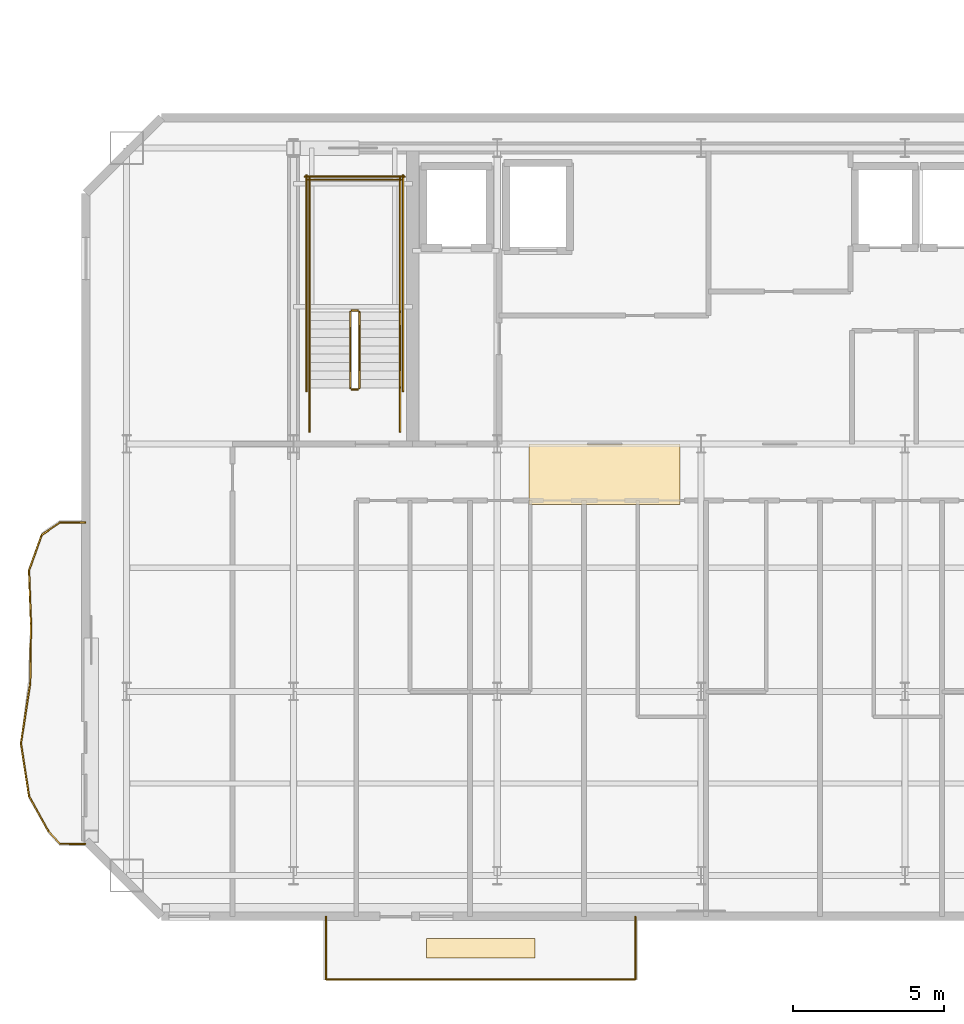
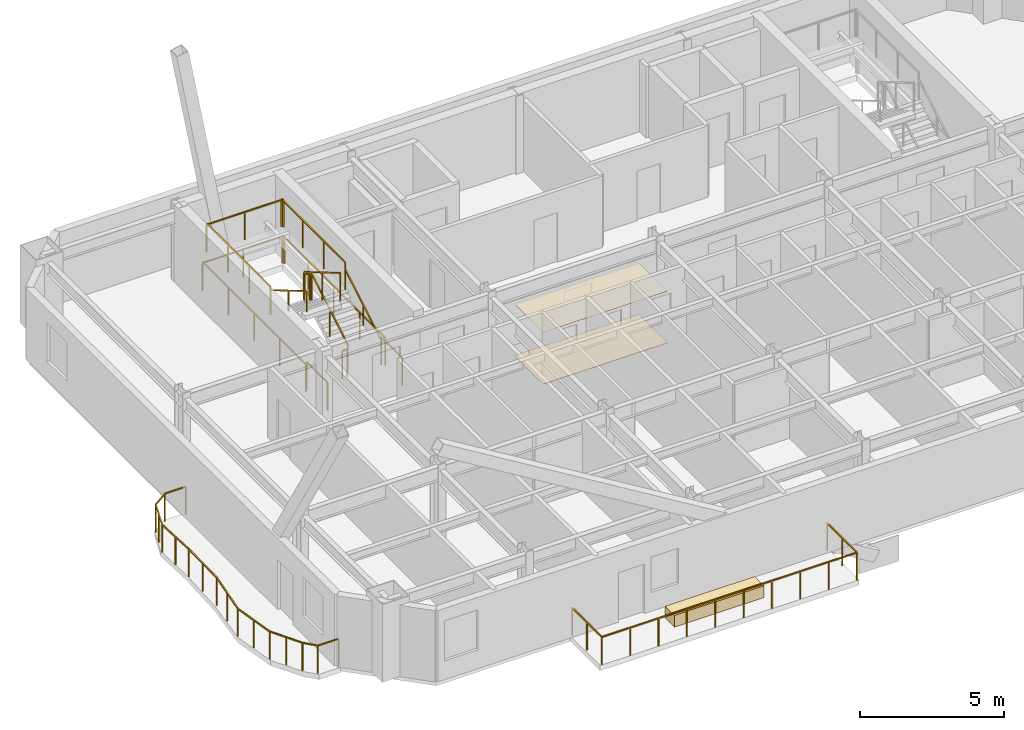
# One storey, part 11 of 14: 27 railings, 3 coverings.
"""IFC4 building model written with IfcOpenShell, lengths in metres."""

from ifc_helpers import new_model, si_unit, direction, frame, origin, origin_2d, place, context, subcontext, project, spatial, polyline, rectangle, outline, extrude, material, layer, layer_set, type_object, element, save


model = new_model("IFC4")

# Units and contexts
model_context = context("Model", 3, precision=1e-05, world=origin(), true_north=direction((0.0, 1.0)))
body_context = subcontext(model_context, "Body", "Model", "MODEL_VIEW")
ifc_project = project(units=[si_unit("LENGTHUNIT", "METRE"), si_unit("AREAUNIT", "SQUARE_METRE"), si_unit("VOLUMEUNIT", "CUBIC_METRE"), si_unit("PLANEANGLEUNIT", "RADIAN"), si_unit("MASSUNIT", "GRAM", prefix="KILO")], contexts=[model_context])

# Site, building, storey
site_placement = place(None, origin())
site = spatial("IfcSite", under=ifc_project, at=site_placement, CompositionType="ELEMENT")
building_placement = place(site_placement, origin())
building = spatial("IfcBuilding", under=site, at=building_placement, Name="Haevon Station Towers", CompositionType="ELEMENT")
storey_placement = place(building_placement, frame((0.0, 0.0, 208.800048828125)))
storey = spatial("IfcBuildingStorey", under=building, at=storey_placement, Name="L57", CompositionType="ELEMENT", Elevation=208.800048828125)

# Coverings
ifc_material_1 = material(Name="Gypsum acoustic ceiling tile", Category="concrete")
ifc_layer_1 = layer(ifc_material_1, 0.014892578125)
ifc_layer_set_1 = layer_set([ifc_layer_1], Name="Gypsum acoustic ceiling tile")
covering_type_1 = type_object("IfcCoveringType", Name="COV-CEIL15", PredefinedType="CEILING", material=ifc_layer_set_1)
covering_1_placement = place(storey_placement, frame((0.0, 0.0, 2.199951171875)))
element("IfcCovering", 1, at=covering_1_placement, inside=storey, type_object=covering_type_1, Name="L57 Acoustic Corridor Ceiling", PredefinedType="CEILING", context=body_context, shape_type="SweptSolid", body=[
    extrude(outline(polyline([(31.800048828125, 36.199951171875), (36.800048828125, 36.199951171875), (36.800048828125, 38.199951171875), (31.800048828125, 38.199951171875), (31.800048828125, 36.199951171875)])), origin(), (0.0, 0.0, 1.0), 0.014892578125),
])
ifc_material_2 = material(Name="Granite stone paving", Category="masonry")
ifc_layer_2 = layer(ifc_material_2, 0.02001953125)
ifc_layer_set_2 = layer_set([ifc_layer_2], Name="Granite stone paving")
covering_type_2 = type_object("IfcCoveringType", Name="COV-FLR20", PredefinedType="FLOORING", material=ifc_layer_set_2)
covering_2_placement = place(storey_placement, origin())
element("IfcCovering", 2, at=covering_2_placement, inside=storey, type_object=covering_type_2, Name="L57 Corridor Stone Flooring", PredefinedType="FLOORING", context=body_context, shape_type="SweptSolid", body=[
    extrude(outline(polyline([(31.800048828125, 36.199951171875), (36.800048828125, 36.199951171875), (36.800048828125, 38.199951171875), (31.800048828125, 38.199951171875), (31.800048828125, 36.199951171875)])), origin(), (0.0, 0.0, 1.0), 0.02001953125),
])

# Railings
ifc_material_3 = material(Name="Steel S355", Category="steel")
railing_type_1 = type_object("IfcRailingType", Name="GRD-EXT1200", PredefinedType="GUARDRAIL", material=ifc_material_3)
railing_1_placement = place(storey_placement, frame((17.1015625, 35.59716796875, 0.0)))
element("IfcRailing", 3, at=railing_1_placement, inside=storey, type_object=railing_type_1, Name="L57 Perimeter Guardrail 1", PredefinedType="GUARDRAIL", context=body_context, shape_type="SweptSolid", body=[
    extrude(rectangle(XDim=0.048095703125, YDim=0.048095703125, at=origin_2d()), frame((0.0, 0.0, 1.17578125), z_axis=(-0.999997283225, -0.002330995998, 0.0), x_axis=(0.002330995998, -0.999997283225, 0.0)), (0.0, 0.0, 1.0), 0.837890625),
    extrude(rectangle(XDim=0.0419921875, YDim=0.0419921875, at=origin_2d()), origin(), (0.0, 0.0, 1.0), 1.15185546875),
    extrude(rectangle(XDim=0.0419921875, YDim=0.0419921875, at=origin_2d()), frame((-0.837890625, -0.001953125, 0.0)), (0.0, 0.0, 1.0), 1.15185546875),
])
railing_2_placement = place(storey_placement, frame((16.263671875, 35.59521484375, 0.0)))
element("IfcRailing", 4, at=railing_2_placement, inside=storey, type_object=railing_type_1, Name="L57 Perimeter Guardrail 2", PredefinedType="GUARDRAIL", context=body_context, shape_type="SweptSolid", body=[
    extrude(rectangle(XDim=0.048095703125, YDim=0.048095703125, at=origin_2d()), frame((0.0, 0.0, 1.17578125), z_axis=(-0.826665387993, -0.562693821091, 0.0), x_axis=(0.562693821091, -0.826665387993, 0.0)), (0.0, 0.0, 1.0), 0.730712890625),
    extrude(rectangle(XDim=0.0419921875, YDim=0.0419921875, at=origin_2d()), origin(), (0.0, 0.0, 1.0), 1.15185546875),
    extrude(rectangle(XDim=0.0419921875, YDim=0.0419921875, at=origin_2d()), frame((-0.60400390625, -0.4111328125, 0.0)), (0.0, 0.0, 1.0), 1.15185546875),
])
railing_3_placement = place(storey_placement, frame((15.65966796875, 35.18408203125, 0.0)))
element("IfcRailing", 5, at=railing_3_placement, inside=storey, type_object=railing_type_1, Name="L57 Perimeter Guardrail 3", PredefinedType="GUARDRAIL", context=body_context, shape_type="SweptSolid", body=[
    extrude(rectangle(XDim=0.048095703125, YDim=0.048095703125, at=origin_2d()), frame((0.0, 0.0, 1.17578125), z_axis=(-0.337369310721, -0.941372374878, 0.0), x_axis=(0.941372374878, -0.337369310721, 0.0)), (0.0, 0.0, 1.0), 1.242431640625),
    extrude(rectangle(XDim=0.0419921875, YDim=0.0419921875, at=origin_2d()), origin(), (0.0, 0.0, 1.0), 1.15185546875),
    extrude(rectangle(XDim=0.0419921875, YDim=0.0419921875, at=origin_2d()), frame((-0.20947265625, -0.5849609375, 0.0)), (0.0, 0.0, 1.0), 1.15185546875),
    extrude(rectangle(XDim=0.0419921875, YDim=0.0419921875, at=origin_2d()), frame((-0.419189453125, -1.169677734375, 0.0)), (0.0, 0.0, 1.0), 1.15185546875),
])
railing_4_placement = place(storey_placement, frame((15.240478515625, 34.014404296875, 0.0)))
element("IfcRailing", 6, at=railing_4_placement, inside=storey, type_object=railing_type_1, Name="L57 Perimeter Guardrail 4", PredefinedType="GUARDRAIL", context=body_context, shape_type="SweptSolid", body=[
    extrude(rectangle(XDim=0.048095703125, YDim=0.048095703125, at=origin_2d()), frame((0.0, 0.0, 1.17578125), z_axis=(0.036800275781, -0.999322640443, 0.0), x_axis=(0.999322640443, 0.036800275781, 0.0)), (0.0, 0.0, 1.0), 1.75146484375),
    extrude(rectangle(XDim=0.0419921875, YDim=0.0419921875, at=origin_2d()), origin(), (0.0, 0.0, 1.0), 1.15185546875),
    extrude(rectangle(XDim=0.0419921875, YDim=0.0419921875, at=origin_2d()), frame((0.0322265625, -0.875, 0.0)), (0.0, 0.0, 1.0), 1.15185546875),
    extrude(rectangle(XDim=0.0419921875, YDim=0.0419921875, at=origin_2d()), frame((0.064453125, -1.750244140625, 0.0)), (0.0, 0.0, 1.0), 1.15185546875),
])
railing_5_placement = place(storey_placement, frame((15.304931640625, 32.26416015625, 0.0)))
element("IfcRailing", 7, at=railing_5_placement, inside=storey, type_object=railing_type_1, Name="L57 Perimeter Guardrail 5", PredefinedType="GUARDRAIL", context=body_context, shape_type="SweptSolid", body=[
    extrude(rectangle(XDim=0.048095703125, YDim=0.048095703125, at=origin_2d()), frame((0.0, 0.0, 1.17578125), z_axis=(-0.01276282884, -0.999918551783, 0.0), x_axis=(0.999918551783, -0.01276282884, 0.0)), (0.0, 0.0, 1.0), 1.989501953125),
    extrude(rectangle(XDim=0.0419921875, YDim=0.0419921875, at=origin_2d()), origin(), (0.0, 0.0, 1.0), 1.15185546875),
    extrude(rectangle(XDim=0.0419921875, YDim=0.0419921875, at=origin_2d()), frame((-0.0126953125, -0.99462890625, 0.0)), (0.0, 0.0, 1.0), 1.15185546875),
    extrude(rectangle(XDim=0.0419921875, YDim=0.0419921875, at=origin_2d()), frame((-0.025390625, -1.9892578125, 0.0)), (0.0, 0.0, 1.0), 1.15185546875),
])
railing_6_placement = place(storey_placement, frame((15.279541015625, 30.27490234375, 0.0)))
element("IfcRailing", 8, at=railing_6_placement, inside=storey, type_object=railing_type_1, Name="L57 Perimeter Guardrail 6", PredefinedType="GUARDRAIL", context=body_context, shape_type="SweptSolid", body=[
    extrude(rectangle(XDim=0.048095703125, YDim=0.048095703125, at=origin_2d()), frame((0.0, 0.0, 1.17578125), z_axis=(-0.152075381091, -0.988368897966, 0.0), x_axis=(0.988368897966, -0.152075381091, 0.0)), (0.0, 0.0, 1.0), 2.016357421875),
    extrude(rectangle(XDim=0.0419921875, YDim=0.0419921875, at=origin_2d()), origin(), (0.0, 0.0, 1.0), 1.15185546875),
    extrude(rectangle(XDim=0.0419921875, YDim=0.0419921875, at=origin_2d()), frame((-0.1533203125, -0.99658203125, 0.0)), (0.0, 0.0, 1.0), 1.15185546875),
    extrude(rectangle(XDim=0.0419921875, YDim=0.0419921875, at=origin_2d()), frame((-0.306640625, -1.992919921875, 0.0)), (0.0, 0.0, 1.0), 1.15185546875),
])
railing_7_placement = place(storey_placement, frame((14.972900390625, 28.281982421875, 0.0)))
element("IfcRailing", 9, at=railing_7_placement, inside=storey, type_object=railing_type_1, Name="L57 Perimeter Guardrail 7", PredefinedType="GUARDRAIL", context=body_context, shape_type="SweptSolid", body=[
    extrude(rectangle(XDim=0.048095703125, YDim=0.048095703125, at=origin_2d()), frame((0.0, 0.0, 1.17578125), z_axis=(0.151454876704, -0.988464172503, 0.0), x_axis=(0.988464172503, 0.151454876704, 0.0)), (0.0, 0.0, 1.0), 1.7666015625),
    extrude(rectangle(XDim=0.0419921875, YDim=0.0419921875, at=origin_2d()), origin(), (0.0, 0.0, 1.0), 1.15185546875),
    extrude(rectangle(XDim=0.0419921875, YDim=0.0419921875, at=origin_2d()), frame((0.1337890625, -0.873046875, 0.0)), (0.0, 0.0, 1.0), 1.15185546875),
    extrude(rectangle(XDim=0.0419921875, YDim=0.0419921875, at=origin_2d()), frame((0.267578125, -1.746337890625, 0.0)), (0.0, 0.0, 1.0), 1.15185546875),
])
railing_8_placement = place(storey_placement, frame((15.240478515625, 26.53564453125, 0.0)))
element("IfcRailing", 10, at=railing_8_placement, inside=storey, type_object=railing_type_1, Name="L57 Perimeter Guardrail 8", PredefinedType="GUARDRAIL", context=body_context, shape_type="SweptSolid", body=[
    extrude(rectangle(XDim=0.048095703125, YDim=0.048095703125, at=origin_2d()), frame((0.0, 0.0, 1.17578125), z_axis=(0.483314021396, -0.875447061062, 0.0), x_axis=(0.875447061062, 0.483314021396, 0.0)), (0.0, 0.0, 1.0), 1.336181640625),
    extrude(rectangle(XDim=0.0419921875, YDim=0.0419921875, at=origin_2d()), origin(), (0.0, 0.0, 1.0), 1.15185546875),
    extrude(rectangle(XDim=0.0419921875, YDim=0.0419921875, at=origin_2d()), frame((0.32275390625, -0.5849609375, 0.0)), (0.0, 0.0, 1.0), 1.15185546875),
    extrude(rectangle(XDim=0.0419921875, YDim=0.0419921875, at=origin_2d()), frame((0.645751953125, -1.169677734375, 0.0)), (0.0, 0.0, 1.0), 1.15185546875),
])
railing_9_placement = place(storey_placement, frame((15.88623046875, 25.365966796875, 0.0)))
element("IfcRailing", 11, at=railing_9_placement, inside=storey, type_object=railing_type_1, Name="L57 Perimeter Guardrail 9", PredefinedType="GUARDRAIL", context=body_context, shape_type="SweptSolid", body=[
    extrude(rectangle(XDim=0.048095703125, YDim=0.048095703125, at=origin_2d()), frame((0.0, 0.0, 1.17578125), z_axis=(0.676279075559, -0.736645513093, 0.0), x_axis=(0.736645513093, 0.676279075559, 0.0)), (0.0, 0.0, 1.0), 0.55810546875),
    extrude(rectangle(XDim=0.0419921875, YDim=0.0419921875, at=origin_2d()), origin(), (0.0, 0.0, 1.0), 1.15185546875),
    extrude(rectangle(XDim=0.0419921875, YDim=0.0419921875, at=origin_2d()), frame((0.37744140625, -0.4111328125, 0.0)), (0.0, 0.0, 1.0), 1.15185546875),
])
railing_10_placement = place(storey_placement, frame((16.263671875, 24.954833984375, 0.0)))
element("IfcRailing", 12, at=railing_10_placement, inside=storey, type_object=railing_type_1, Name="L57 Perimeter Guardrail 10", PredefinedType="GUARDRAIL", context=body_context, shape_type="SweptSolid", body=[
    extrude(rectangle(XDim=0.048095703125, YDim=0.048095703125, at=origin_2d()), frame((0.0, 0.0, 1.17578125), z_axis=(0.999997283225, -0.002330995998, 0.0), x_axis=(0.002330995998, 0.999997283225, 0.0)), (0.0, 0.0, 1.0), 0.837890625),
    extrude(rectangle(XDim=0.0419921875, YDim=0.0419921875, at=origin_2d()), origin(), (0.0, 0.0, 1.0), 1.15185546875),
    extrude(rectangle(XDim=0.0419921875, YDim=0.0419921875, at=origin_2d()), frame((0.837890625, -0.001953125, 0.0)), (0.0, 0.0, 1.0), 1.15185546875),
])
railing_11_placement = place(storey_placement, frame((25.078369140625, 20.4658203125, 0.0)))
element("IfcRailing", 13, at=railing_11_placement, inside=storey, type_object=railing_type_1, Name="L57 Perimeter Guardrail 1", PredefinedType="GUARDRAIL", context=body_context, shape_type="SweptSolid", body=[
    extrude(rectangle(XDim=0.048095703125, YDim=0.048095703125, at=origin_2d()), frame((0.0, 0.0, 1.17578125), z_axis=(1.0, 0.0, 0.0), x_axis=(0.0, 1.0, 0.0)), (0.0, 0.0, 1.0), 10.2431640625),
    extrude(rectangle(XDim=0.0419921875, YDim=0.0419921875, at=origin_2d()), origin(), (0.0, 0.0, 1.0), 1.15185546875),
    extrude(rectangle(XDim=0.0419921875, YDim=0.0419921875, at=origin_2d()), frame((1.13818359375, 0.0, 0.0)), (0.0, 0.0, 1.0), 1.15185546875),
    extrude(rectangle(XDim=0.0419921875, YDim=0.0419921875, at=origin_2d()), frame((2.2763671875, 0.0, 0.0)), (0.0, 0.0, 1.0), 1.15185546875),
    extrude(rectangle(XDim=0.0419921875, YDim=0.0419921875, at=origin_2d()), frame((3.414306640625, 0.0, 0.0)), (0.0, 0.0, 1.0), 1.15185546875),
    extrude(rectangle(XDim=0.0419921875, YDim=0.0419921875, at=origin_2d()), frame((4.552490234375, 0.0, 0.0)), (0.0, 0.0, 1.0), 1.15185546875),
    extrude(rectangle(XDim=0.0419921875, YDim=0.0419921875, at=origin_2d()), frame((5.690673828125, 0.0, 0.0)), (0.0, 0.0, 1.0), 1.15185546875),
    extrude(rectangle(XDim=0.0419921875, YDim=0.0419921875, at=origin_2d()), frame((6.828857421875, 0.0, 0.0)), (0.0, 0.0, 1.0), 1.15185546875),
    extrude(rectangle(XDim=0.0419921875, YDim=0.0419921875, at=origin_2d()), frame((7.966796875, 0.0, 0.0)), (0.0, 0.0, 1.0), 1.15185546875),
    extrude(rectangle(XDim=0.0419921875, YDim=0.0419921875, at=origin_2d()), frame((9.10498046875, 0.0, 0.0)), (0.0, 0.0, 1.0), 1.15185546875),
    extrude(rectangle(XDim=0.0419921875, YDim=0.0419921875, at=origin_2d()), frame((10.2431640625, 0.0, 0.0)), (0.0, 0.0, 1.0), 1.15185546875),
])
railing_12_placement = place(storey_placement, frame((35.321533203125, 20.4658203125, 0.0)))
element("IfcRailing", 14, at=railing_12_placement, inside=storey, type_object=railing_type_1, Name="L57 Perimeter Guardrail 2", PredefinedType="GUARDRAIL", context=body_context, shape_type="SweptSolid", body=[
    extrude(rectangle(XDim=0.048095703125, YDim=0.048095703125, at=origin_2d()), frame((0.0, 0.0, 1.17578125), z_axis=(0.0, 1.0, 0.0), x_axis=(-1.0, 0.0, 0.0)), (0.0, 0.0, 1.0), 2.0634765625),
    extrude(rectangle(XDim=0.0419921875, YDim=0.0419921875, at=origin_2d()), origin(), (0.0, 0.0, 1.0), 1.15185546875),
    extrude(rectangle(XDim=0.0419921875, YDim=0.0419921875, at=origin_2d()), frame((0.0, 1.03173828125, 0.0)), (0.0, 0.0, 1.0), 1.15185546875),
    extrude(rectangle(XDim=0.0419921875, YDim=0.0419921875, at=origin_2d()), frame((0.0, 2.0634765625, 0.0)), (0.0, 0.0, 1.0), 1.15185546875),
])
railing_13_placement = place(storey_placement, frame((25.078369140625, 22.529296875, 0.0)))
element("IfcRailing", 15, at=railing_13_placement, inside=storey, type_object=railing_type_1, Name="L57 Perimeter Guardrail 3", PredefinedType="GUARDRAIL", context=body_context, shape_type="SweptSolid", body=[
    extrude(rectangle(XDim=0.048095703125, YDim=0.048095703125, at=origin_2d()), frame((0.0, 0.0, 1.17578125), z_axis=(0.0, -1.0, 0.0), x_axis=(1.0, 0.0, 0.0)), (0.0, 0.0, 1.0), 2.0634765625),
    extrude(rectangle(XDim=0.0419921875, YDim=0.0419921875, at=origin_2d()), origin(), (0.0, 0.0, 1.0), 1.15185546875),
    extrude(rectangle(XDim=0.0419921875, YDim=0.0419921875, at=origin_2d()), frame((0.0, -1.03173828125, 0.0)), (0.0, 0.0, 1.0), 1.15185546875),
    extrude(rectangle(XDim=0.0419921875, YDim=0.0419921875, at=origin_2d()), frame((0.0, -2.0634765625, 0.0)), (0.0, 0.0, 1.0), 1.15185546875),
])
railing_type_2 = type_object("IfcRailingType", Name="GRD-STR1200", PredefinedType="GUARDRAIL", material=ifc_material_3)
railing_14_placement = place(storey_placement, frame((26.179931640625, 40.050048828125, 0.1650390625)))
element("IfcRailing", 16, at=railing_14_placement, inside=storey, type_object=railing_type_2, Name="L57 ST1 Stair Guard 1", PredefinedType="GUARDRAIL", context=body_context, shape_type="SweptSolid", body=[
    extrude(rectangle(XDim=0.048095703125, YDim=0.048095703125, at=origin_2d()), frame((0.0, 0.0, 1.17578125), z_axis=(0.0, 0.861560626758, 0.507654692109), x_axis=(-1.0, 0.0, 0.0)), (0.0, 0.0, 1.0), 2.925048828125),
    extrude(rectangle(XDim=0.0419921875, YDim=0.0419921875, at=origin_2d()), origin(), (0.0, 0.0, 1.0), 1.15185546875),
    extrude(rectangle(XDim=0.0419921875, YDim=0.0419921875, at=origin_2d()), frame((0.0, 1.260009765625, 0.742431640625)), (0.0, 0.0, 1.0), 1.15185546875),
    extrude(rectangle(XDim=0.0419921875, YDim=0.0419921875, at=origin_2d()), frame((0.0, 2.52001953125, 1.48486328125)), (0.0, 0.0, 1.0), 1.15185546875),
])
railing_15_placement = place(storey_placement, frame((26.1298828125, 42.6201171875, 1.64990234375)))
element("IfcRailing", 17, at=railing_15_placement, inside=storey, type_object=railing_type_2, Name="L57 ST1 Stair Guard 2", PredefinedType="GUARDRAIL", context=body_context, shape_type="SweptSolid", body=[
    extrude(rectangle(XDim=0.048095703125, YDim=0.048095703125, at=origin_2d()), frame((0.0, 0.0, 1.17578125), z_axis=(-1.0, 0.0, 0.0), x_axis=(0.0, -1.0, 0.0)), (0.0, 0.0, 1.0), 0.199951171875),
    extrude(rectangle(XDim=0.0419921875, YDim=0.0419921875, at=origin_2d()), origin(), (0.0, 0.0, 1.0), 1.15185546875),
    extrude(rectangle(XDim=0.0419921875, YDim=0.0419921875, at=origin_2d()), frame((-0.199951171875, 0.0, 0.0)), (0.0, 0.0, 1.0), 1.15185546875),
])
for number, where, name in (
    (18, (27.530029296875, 42.570068359375, 1.64990234375), "L57 ST1 Stair Guard 3"),
    (19, (24.530029296875, 42.570068359375, 1.64990234375), "L57 ST1 Stair Guard 4"),
):
    element("IfcRailing", number, at=place(storey_placement, frame(where)), inside=storey, type_object=railing_type_2, Name=name, PredefinedType="GUARDRAIL", context=body_context, shape_type="SweptSolid", body=[
        extrude(rectangle(XDim=0.048095703125, YDim=0.048095703125, at=origin_2d()), frame((0.0, 0.0, 1.17578125), z_axis=(0.0, 1.0, 0.0), x_axis=(-1.0, 0.0, 0.0)), (0.0, 0.0, 1.0), 4.429931640625),
        extrude(rectangle(XDim=0.0419921875, YDim=0.0419921875, at=origin_2d()), origin(), (0.0, 0.0, 1.0), 1.15185546875),
        extrude(rectangle(XDim=0.0419921875, YDim=0.0419921875, at=origin_2d()), frame((0.0, 1.4765625, 0.0)), (0.0, 0.0, 1.0), 1.15185546875),
        extrude(rectangle(XDim=0.0419921875, YDim=0.0419921875, at=origin_2d()), frame((0.0, 2.953369140625, 0.0)), (0.0, 0.0, 1.0), 1.15185546875),
        extrude(rectangle(XDim=0.0419921875, YDim=0.0419921875, at=origin_2d()), frame((0.0, 4.429931640625, 0.0)), (0.0, 0.0, 1.0), 1.15185546875),
    ])
railing_16_placement = place(storey_placement, frame((27.580078125, 46.949951171875, 1.64990234375)))
element("IfcRailing", 20, at=railing_16_placement, inside=storey, type_object=railing_type_2, Name="L57 ST1 Stair Guard 5", PredefinedType="GUARDRAIL", context=body_context, shape_type="SweptSolid", body=[
    extrude(rectangle(XDim=0.048095703125, YDim=0.048095703125, at=origin_2d()), frame((0.0, 0.0, 1.17578125), z_axis=(-1.0, 0.0, 0.0), x_axis=(0.0, -1.0, 0.0)), (0.0, 0.0, 1.0), 3.10009765625),
    extrude(rectangle(XDim=0.0419921875, YDim=0.0419921875, at=origin_2d()), origin(), (0.0, 0.0, 1.0), 1.15185546875),
    extrude(rectangle(XDim=0.0419921875, YDim=0.0419921875, at=origin_2d()), frame((-1.550048828125, 0.0, 0.0)), (0.0, 0.0, 1.0), 1.15185546875),
    extrude(rectangle(XDim=0.0419921875, YDim=0.0419921875, at=origin_2d()), frame((-3.10009765625, 0.0, 0.0)), (0.0, 0.0, 1.0), 1.15185546875),
])
railing_17_placement = place(storey_placement, frame((25.8798828125, 42.570068359375, 1.81494140625)))
element("IfcRailing", 21, at=railing_17_placement, inside=storey, type_object=railing_type_2, Name="L57 ST1 Stair Guard 6", PredefinedType="GUARDRAIL", context=body_context, shape_type="SweptSolid", body=[
    extrude(rectangle(XDim=0.048095703125, YDim=0.048095703125, at=origin_2d()), frame((0.0, 0.0, 1.17578125), z_axis=(0.0, -0.86152411907, 0.507716645641), x_axis=(1.0, 0.0, 0.0)), (0.0, 0.0, 1.0), 2.925048828125),
    extrude(rectangle(XDim=0.0419921875, YDim=0.0419921875, at=origin_2d()), origin(), (0.0, 0.0, 1.0), 1.15185546875),
    extrude(rectangle(XDim=0.0419921875, YDim=0.0419921875, at=origin_2d()), frame((0.0, -1.260009765625, 0.74267578125)), (0.0, 0.0, 1.0), 1.15185546875),
    extrude(rectangle(XDim=0.0419921875, YDim=0.0419921875, at=origin_2d()), frame((0.0, -2.52001953125, 1.485107421875)), (0.0, 0.0, 1.0), 1.15185546875),
])
railing_18_placement = place(storey_placement, frame((26.1298828125, 40.0, 0.0)))
element("IfcRailing", 22, at=railing_18_placement, inside=storey, type_object=railing_type_2, Name="L57 ST1 Stair Guard 7", PredefinedType="GUARDRAIL", context=body_context, shape_type="SweptSolid", body=[
    extrude(rectangle(XDim=0.048095703125, YDim=0.048095703125, at=origin_2d()), frame((0.0, 0.0, 1.17578125), z_axis=(-1.0, 0.0, 0.0), x_axis=(0.0, -1.0, 0.0)), (0.0, 0.0, 1.0), 0.199951171875),
    extrude(rectangle(XDim=0.0419921875, YDim=0.0419921875, at=origin_2d()), origin(), (0.0, 0.0, 1.0), 1.15185546875),
    extrude(rectangle(XDim=0.0419921875, YDim=0.0419921875, at=origin_2d()), frame((-0.199951171875, 0.0, 0.0)), (0.0, 0.0, 1.0), 1.15185546875),
])
for number, where, name in (
    (23, (27.530029296875, 38.60009765625, 0.0), "L57 ST1 Stair Guard 8"),
    (24, (24.530029296875, 38.60009765625, 0.0), "L57 ST1 Stair Guard 9"),
):
    element("IfcRailing", number, at=place(storey_placement, frame(where)), inside=storey, type_object=railing_type_2, Name=name, PredefinedType="GUARDRAIL", context=body_context, shape_type="SweptSolid", body=[
        extrude(rectangle(XDim=0.048095703125, YDim=0.048095703125, at=origin_2d()), frame((0.0, 0.0, 1.17578125), z_axis=(0.0, 1.0, 0.0), x_axis=(-1.0, 0.0, 0.0)), (0.0, 0.0, 1.0), 1.449951171875),
        extrude(rectangle(XDim=0.0419921875, YDim=0.0419921875, at=origin_2d()), origin(), (0.0, 0.0, 1.0), 1.15185546875),
        extrude(rectangle(XDim=0.0419921875, YDim=0.0419921875, at=origin_2d()), frame((0.0, 1.449951171875, 0.0)), (0.0, 0.0, 1.0), 1.15185546875),
    ])
for number, where, name in (
    (25, (27.6298828125, 39.949951171875, 0.0), "L57 ST1 Stair Guard 10"),
    (26, (24.429931640625, 39.949951171875, 0.0), "L57 ST1 Stair Guard 11"),
):
    element("IfcRailing", number, at=place(storey_placement, frame(where)), inside=storey, type_object=railing_type_2, Name=name, PredefinedType="GUARDRAIL", context=body_context, shape_type="SweptSolid", body=[
        extrude(rectangle(XDim=0.048095703125, YDim=0.048095703125, at=origin_2d()), frame((0.0, 0.0, 1.17578125), z_axis=(0.0, 1.0, 0.0), x_axis=(-1.0, 0.0, 0.0)), (0.0, 0.0, 1.0), 7.150146484375),
        extrude(rectangle(XDim=0.0419921875, YDim=0.0419921875, at=origin_2d()), origin(), (0.0, 0.0, 1.0), 1.15185546875),
        extrude(rectangle(XDim=0.0419921875, YDim=0.0419921875, at=origin_2d()), frame((0.0, 1.78759765625, 0.0)), (0.0, 0.0, 1.0), 1.15185546875),
        extrude(rectangle(XDim=0.0419921875, YDim=0.0419921875, at=origin_2d()), frame((0.0, 3.5751953125, 0.0)), (0.0, 0.0, 1.0), 1.15185546875),
        extrude(rectangle(XDim=0.0419921875, YDim=0.0419921875, at=origin_2d()), frame((0.0, 5.362548828125, 0.0)), (0.0, 0.0, 1.0), 1.15185546875),
        extrude(rectangle(XDim=0.0419921875, YDim=0.0419921875, at=origin_2d()), frame((0.0, 7.150146484375, 0.0)), (0.0, 0.0, 1.0), 1.15185546875),
    ])
railing_19_placement = place(storey_placement, frame((27.679931640625, 47.050048828125, 0.0)))
element("IfcRailing", 27, at=railing_19_placement, inside=storey, type_object=railing_type_2, Name="L57 ST1 Stair Guard 12", PredefinedType="GUARDRAIL", context=body_context, shape_type="SweptSolid", body=[
    extrude(rectangle(XDim=0.048095703125, YDim=0.048095703125, at=origin_2d()), frame((0.0, 0.0, 1.17578125), z_axis=(-1.0, 0.0, 0.0), x_axis=(0.0, -1.0, 0.0)), (0.0, 0.0, 1.0), 3.300048828125),
    extrude(rectangle(XDim=0.0419921875, YDim=0.0419921875, at=origin_2d()), origin(), (0.0, 0.0, 1.0), 1.15185546875),
    extrude(rectangle(XDim=0.0419921875, YDim=0.0419921875, at=origin_2d()), frame((-1.64990234375, 0.0, 0.0)), (0.0, 0.0, 1.0), 1.15185546875),
    extrude(rectangle(XDim=0.0419921875, YDim=0.0419921875, at=origin_2d()), frame((-3.300048828125, 0.0, 0.0)), (0.0, 0.0, 1.0), 1.15185546875),
])
railing_type_3 = type_object("IfcRailingType", Name="HND-STR900", PredefinedType="HANDRAIL", material=ifc_material_3)
railing_20_placement = place(storey_placement, frame((27.530029296875, 40.050048828125, 0.1650390625)))
element("IfcRailing", 28, at=railing_20_placement, inside=storey, type_object=railing_type_3, Name="L57 ST1 Stair Handrail 1", PredefinedType="HANDRAIL", context=body_context, shape_type="SweptSolid", body=[
    extrude(rectangle(XDim=0.048095703125, YDim=0.048095703125, at=origin_2d()), frame((0.0, 0.0, 0.8759765625), z_axis=(0.0, 0.861560626758, 0.507654692109), x_axis=(-1.0, 0.0, 0.0)), (0.0, 0.0, 1.0), 2.925048828125),
    extrude(rectangle(XDim=0.0419921875, YDim=0.0419921875, at=origin_2d()), origin(), (0.0, 0.0, 1.0), 0.851806640625),
    extrude(rectangle(XDim=0.0419921875, YDim=0.0419921875, at=origin_2d()), frame((0.0, 1.260009765625, 0.742431640625)), (0.0, 0.0, 1.0), 0.851806640625),
    extrude(rectangle(XDim=0.0419921875, YDim=0.0419921875, at=origin_2d()), frame((0.0, 2.52001953125, 1.48486328125)), (0.0, 0.0, 1.0), 0.851806640625),
])
railing_21_placement = place(storey_placement, frame((24.530029296875, 42.570068359375, 1.81494140625)))
element("IfcRailing", 29, at=railing_21_placement, inside=storey, type_object=railing_type_3, Name="L57 ST1 Stair Handrail 2", PredefinedType="HANDRAIL", context=body_context, shape_type="SweptSolid", body=[
    extrude(rectangle(XDim=0.048095703125, YDim=0.048095703125, at=origin_2d()), frame((0.0, 0.0, 0.8759765625), z_axis=(0.0, -0.86152411907, 0.507716645641), x_axis=(1.0, 0.0, 0.0)), (0.0, 0.0, 1.0), 2.925048828125),
    extrude(rectangle(XDim=0.0419921875, YDim=0.0419921875, at=origin_2d()), origin(), (0.0, 0.0, 1.0), 0.851806640625),
    extrude(rectangle(XDim=0.0419921875, YDim=0.0419921875, at=origin_2d()), frame((0.0, -1.260009765625, 0.74267578125)), (0.0, 0.0, 1.0), 0.851806640625),
    extrude(rectangle(XDim=0.0419921875, YDim=0.0419921875, at=origin_2d()), frame((0.0, -2.52001953125, 1.485107421875)), (0.0, 0.0, 1.0), 0.851806640625),
])

# Covering
ifc_material_4 = material(Name="Architectural planter GRC", Category="concrete")
ifc_layer_3 = layer(ifc_material_4, 0.550048828125)
ifc_layer_set_3 = layer_set([ifc_layer_3], Name="Architectural planter GRC")
covering_type_3 = type_object("IfcCoveringType", Name="PLN-GRC550", PredefinedType="MOLDING", material=ifc_layer_set_3)
covering_3_placement = place(storey_placement, frame((30.199951171875, 21.49755859375, 0.0), z_axis=(0.0, 0.0, 1.0), x_axis=(1.0, 0.0, 0.0)))
element("IfcCovering", 30, at=covering_3_placement, inside=storey, type_object=covering_type_3, Name="Tower 1 L57 Facade Trough PLANTER", PredefinedType="MOLDING", context=body_context, shape_type="SweptSolid", body=[
    extrude(rectangle(XDim=3.60009765625, YDim=0.64990234375, at=origin_2d()), origin(), (0.0, 0.0, 1.0), 0.5),
])

save(model, "model.ifc")
